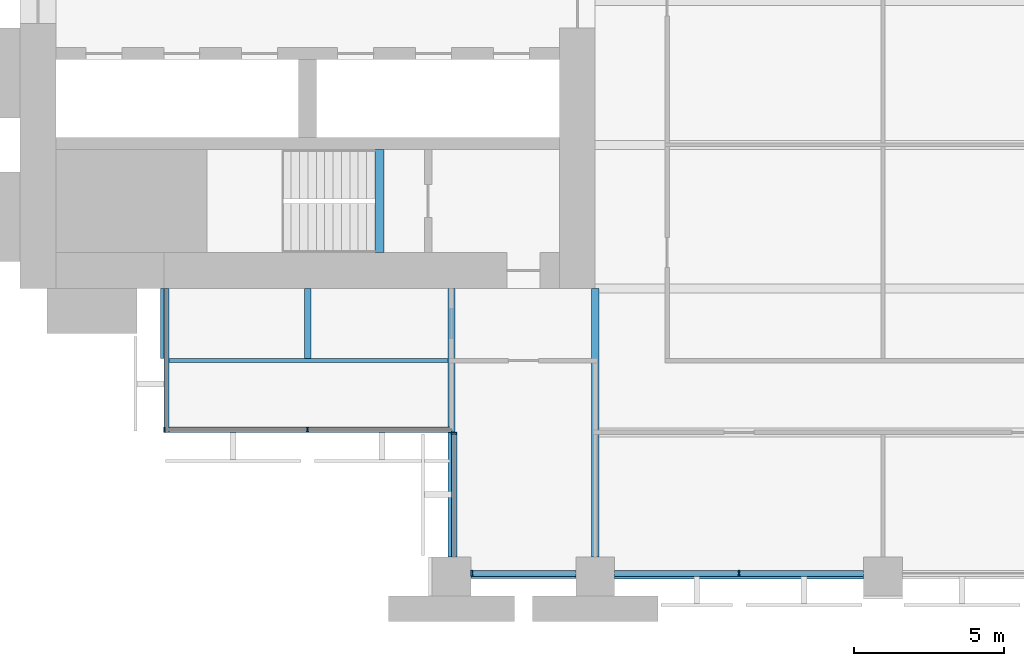
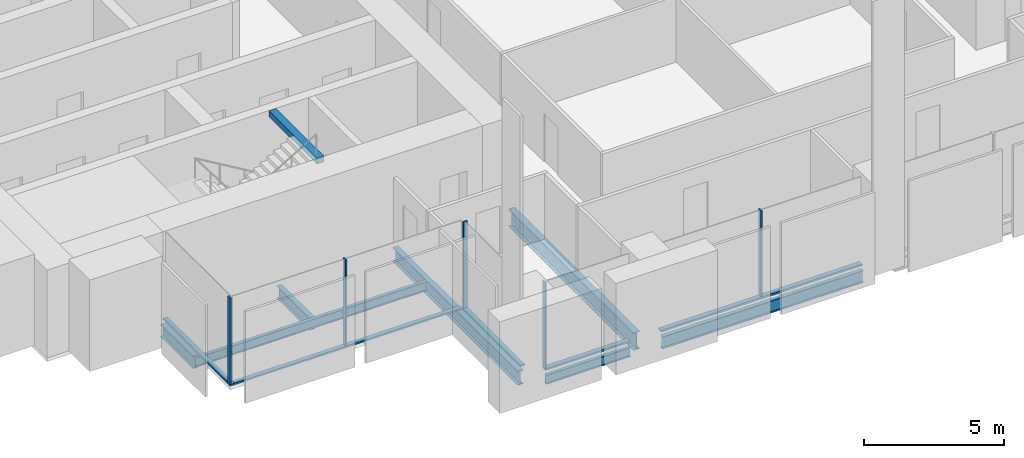
# One storey, part 2 of 14: 10 members, 8 beams, 4 elements without a shape of their own.
"""IFC4 building model written with IfcOpenShell, lengths in metres."""

from ifc_helpers import new_model, si_unit, direction, frame, origin, origin_2d, place, context, subcontext, project, spatial, rectangle, i_section, extrude, material, material_profile, profile_set, type_object, element, aggregate, save


model = new_model("IFC4")

# Units and contexts
model_context = context("Model", 3, precision=1e-05, world=origin(), true_north=direction((0.0, 1.0)))
body_context = subcontext(model_context, "Body", "Model", "MODEL_VIEW")
ifc_project = project(units=[si_unit("LENGTHUNIT", "METRE"), si_unit("AREAUNIT", "SQUARE_METRE"), si_unit("VOLUMEUNIT", "CUBIC_METRE"), si_unit("PLANEANGLEUNIT", "RADIAN"), si_unit("MASSUNIT", "GRAM", prefix="KILO")], contexts=[model_context])

# Site, building, storey
site_placement = place(None, origin())
site = spatial("IfcSite", under=ifc_project, at=site_placement, CompositionType="ELEMENT")
building_placement = place(site_placement, origin())
building = spatial("IfcBuilding", under=site, at=building_placement, Name="Baori Bourse Tower", CompositionType="ELEMENT")
storey_placement = place(building_placement, frame((0.0, 0.0, 39.0)))
storey = spatial("IfcBuildingStorey", under=building, at=storey_placement, Name="L07", CompositionType="ELEMENT", Elevation=39.0)

# Curtain wall, members
ifc_material_1 = material(Name="Pale anodised aluminium", Category="aluminium")
curtain_wall_type_1 = type_object("IfcCurtainWallType", Name="CW1 Curtain wall", PredefinedType="NOTDEFINED", material=ifc_material_1)
curtain_wall_1_placement = place(storey_placement, origin())
curtain_wall_1 = element("IfcCurtainWall", 1, at=curtain_wall_1_placement, inside=storey, type_object=curtain_wall_type_1, Name="Curtain wall CW1 L07 11", PredefinedType="NOTDEFINED")
ifc_material_2 = material(Name="Pale anodised aluminium", Category="aluminium")
ifc_material_profile_1 = material_profile(ifc_material_2, rectangle(XDim=0.199951171875, YDim=0.06005859375, at=origin_2d()), Name="Mullion 60x200")
ifc_profile_set_1 = profile_set([ifc_material_profile_1], Name="Pale anodised aluminium")
member_type_1 = type_object("IfcMemberType", Name="CW1 Curtain wall mullion", PredefinedType="MULLION", material=ifc_profile_set_1)
member_1_placement = place(storey_placement, frame((15.080078125, 0.10009765625, 0.080078125), z_axis=(0.0, 0.0, 1.0), x_axis=(0.0, 1.0, 0.0)))
member_1 = element("IfcMember", 2, at=member_1_placement, type_object=member_type_1, Name="Curtain wall CW1 mullion", PredefinedType="MULLION", context=body_context, shape_type="SweptSolid", body=[
    extrude(rectangle(XDim=0.199951171875, YDim=0.06005859375, at=origin_2d()), origin(), (0.0, 0.0, 1.0), 3.760009765625),
])
member_2_placement = place(storey_placement, frame((24.0, 0.10009765625, 0.080078125), z_axis=(0.0, 0.0, 1.0), x_axis=(0.0, 1.0, 0.0)))
member_2 = element("IfcMember", 3, at=member_2_placement, type_object=member_type_1, Name="Curtain wall CW1 mullion", PredefinedType="MULLION", context=body_context, shape_type="SweptSolid", body=[
    extrude(rectangle(XDim=0.199951171875, YDim=0.06005859375, at=origin_2d()), origin(), (0.0, 0.0, 1.0), 3.760009765625),
])
ifc_material_3 = material(Name="Pale anodised aluminium", Category="aluminium")
ifc_material_profile_2 = material_profile(ifc_material_3, rectangle(XDim=0.199951171875, YDim=0.080078125, at=origin_2d()), Name="Transom 80x200")
ifc_profile_set_2 = profile_set([ifc_material_profile_2], Name="Pale anodised aluminium")
member_type_2 = type_object("IfcMemberType", Name="CW1 Curtain wall transom", PredefinedType="USERDEFINED", material=ifc_profile_set_2)
member_3_placement = place(storey_placement, frame((15.050048828125, 0.10009765625, 0.0400390625), z_axis=(1.0, 0.0, 0.0), x_axis=(0.0, 1.0, 0.0)))
member_3 = element("IfcMember", 4, at=member_3_placement, type_object=member_type_2, Name="Curtain wall CW1 sill rail", ObjectType="TRANSOM", PredefinedType="USERDEFINED", context=body_context, shape_type="SweptSolid", body=[
    extrude(rectangle(XDim=0.199951171875, YDim=0.080078125, at=origin_2d()), origin(), (0.0, 0.0, 1.0), 3.5),
])
member_4_placement = place(storey_placement, frame((19.85009765625, 0.10009765625, 0.0400390625), z_axis=(1.0, 0.0, 0.0), x_axis=(0.0, 1.0, 0.0)))
member_4 = element("IfcMember", 5, at=member_4_placement, type_object=member_type_2, Name="Curtain wall CW1 sill rail", ObjectType="TRANSOM", PredefinedType="USERDEFINED", context=body_context, shape_type="SweptSolid", body=[
    extrude(rectangle(XDim=0.199951171875, YDim=0.080078125, at=origin_2d()), origin(), (0.0, 0.0, 1.0), 8.2998046875),
])
aggregate(curtain_wall_1, [member_3, member_1, member_4, member_2])

ifc_material_4 = material(Name="Pale anodised aluminium", Category="aluminium")
curtain_wall_type_2 = type_object("IfcCurtainWallType", Name="CW2 Curtain wall", PredefinedType="NOTDEFINED", material=ifc_material_4)
curtain_wall_2_placement = place(storey_placement, origin())
curtain_wall_2 = element("IfcCurtainWall", 6, at=curtain_wall_2_placement, inside=storey, type_object=curtain_wall_type_2, Name="Curtain wall CW2 L07 9", PredefinedType="NOTDEFINED")
ifc_material_5 = material(Name="Pale anodised aluminium", Category="aluminium")
ifc_material_profile_3 = material_profile(ifc_material_5, rectangle(XDim=0.179931640625, YDim=0.054931640625, at=origin_2d()), Name="Mullion 55x180")
ifc_profile_set_3 = profile_set([ifc_material_profile_3], Name="Pale anodised aluminium")
member_type_3 = type_object("IfcMemberType", Name="CW2 Curtain wall mullion", PredefinedType="MULLION", material=ifc_profile_set_3)
member_5_placement = place(storey_placement, frame((4.827392578125, 4.889892578125, 0.070068359375), z_axis=(0.0, 0.0, 1.0), x_axis=(0.0, 1.0, 0.0)))
member_5 = element("IfcMember", 7, at=member_5_placement, type_object=member_type_3, Name="Curtain wall CW2 mullion", PredefinedType="MULLION", context=body_context, shape_type="SweptSolid", body=[
    extrude(rectangle(XDim=0.179931640625, YDim=0.054931640625, at=origin_2d()), origin(), (0.0, 0.0, 1.0), 3.77001953125),
])
member_6_placement = place(storey_placement, frame((9.60009765625, 4.889892578125, 0.070068359375), z_axis=(0.0, 0.0, 1.0), x_axis=(0.0, 1.0, 0.0)))
member_6 = element("IfcMember", 8, at=member_6_placement, type_object=member_type_3, Name="Curtain wall CW2 mullion", PredefinedType="MULLION", context=body_context, shape_type="SweptSolid", body=[
    extrude(rectangle(XDim=0.179931640625, YDim=0.054931640625, at=origin_2d()), origin(), (0.0, 0.0, 1.0), 3.77001953125),
])

# Curtain wall, member
curtain_wall_3_placement = place(storey_placement, origin())
curtain_wall_3 = element("IfcCurtainWall", 9, at=curtain_wall_3_placement, inside=storey, type_object=curtain_wall_type_2, Name="Curtain wall CW2 L07 10", PredefinedType="NOTDEFINED")
member_7_placement = place(storey_placement, frame((14.489990234375, 4.7724609375, 0.070068359375), z_axis=(0.0, 0.0, 1.0), x_axis=(1.0, 0.0, 0.0)))
member_7 = element("IfcMember", 10, at=member_7_placement, type_object=member_type_3, Name="Curtain wall CW2 mullion", PredefinedType="MULLION", context=body_context, shape_type="SweptSolid", body=[
    extrude(rectangle(XDim=0.179931640625, YDim=0.054931640625, at=origin_2d()), origin(), (0.0, 0.0, 1.0), 3.77001953125),
])

curtain_wall_4_placement = place(storey_placement, origin())
curtain_wall_4 = element("IfcCurtainWall", 11, at=curtain_wall_4_placement, inside=storey, type_object=curtain_wall_type_2, Name="Curtain wall CW2 L07 8", PredefinedType="NOTDEFINED")
ifc_material_6 = material(Name="Pale anodised aluminium", Category="aluminium")
ifc_material_profile_4 = material_profile(ifc_material_6, rectangle(XDim=0.179931640625, YDim=0.070068359375, at=origin_2d()), Name="Transom 70x180")
ifc_profile_set_4 = profile_set([ifc_material_profile_4], Name="Pale anodised aluminium")
member_type_4 = type_object("IfcMemberType", Name="CW2 Curtain wall transom", PredefinedType="USERDEFINED", material=ifc_profile_set_4)
member_8_placement = place(storey_placement, frame((4.889892578125, 9.60009765625, 0.034912109375), z_axis=(0.0, -1.0, 0.0), x_axis=(1.0, 0.0, 0.0)))
member_8 = element("IfcMember", 12, at=member_8_placement, type_object=member_type_4, Name="Curtain wall CW2 sill rail", ObjectType="TRANSOM", PredefinedType="USERDEFINED", context=body_context, shape_type="SweptSolid", body=[
    extrude(rectangle(XDim=0.179931640625, YDim=0.070068359375, at=origin_2d()), origin(), (0.0, 0.0, 1.0), 4.800048828125),
])
aggregate(curtain_wall_4, [member_8])

# Member
member_9_placement = place(storey_placement, frame((4.800048828125, 4.889892578125, 0.034912109375), z_axis=(1.0, 0.0, 0.0), x_axis=(0.0, 1.0, 0.0)))
member_9 = element("IfcMember", 13, at=member_9_placement, type_object=member_type_4, Name="Curtain wall CW2 sill rail", ObjectType="TRANSOM", PredefinedType="USERDEFINED", context=body_context, shape_type="SweptSolid", body=[
    extrude(rectangle(XDim=0.179931640625, YDim=0.070068359375, at=origin_2d()), origin(), (0.0, 0.0, 1.0), 9.599853515625),
])

aggregate(curtain_wall_2, [member_9, member_5, member_6])

member_10_placement = place(storey_placement, frame((14.489990234375, 4.800048828125, 0.034912109375), z_axis=(0.0, -1.0, 0.0), x_axis=(1.0, 0.0, 0.0)))
member_10 = element("IfcMember", 14, at=member_10_placement, type_object=member_type_4, Name="Curtain wall CW2 sill rail", ObjectType="TRANSOM", PredefinedType="USERDEFINED", context=body_context, shape_type="SweptSolid", body=[
    extrude(rectangle(XDim=0.179931640625, YDim=0.070068359375, at=origin_2d()), origin(), (0.0, 0.0, 1.0), 4.150146484375),
])

aggregate(curtain_wall_3, [member_10, member_7])

# Beams
ifc_material_7 = material(Name="Steel A992 Gr 50", Category="steel")
ifc_material_profile_5 = material_profile(ifc_material_7, i_section(OverallWidth=0.21240234375, OverallDepth=0.54345703125, WebThickness=0.01318359375, FlangeThickness=0.021240234375, at=origin_2d()), Name="W21x83")
ifc_profile_set_5 = profile_set([ifc_material_profile_5], Name="Steel A992 Gr 50")
beam_type_1 = type_object("IfcBeamType", Name="Core bracket W21x83", PredefinedType="BEAM", material=ifc_profile_set_5)
for number, where, z_axis, x_axis, name in (
    (15, (4.800048828125, 7.270263671875, -0.431884765625), (0.0, 1.0, 0.0), (-1.0, 0.0, 0.0), "Core bracket L07"),
    (16, (9.60009765625, 7.270263671875, -0.431884765625), (0.0, 1.0, 0.0), (-1.0, 0.0, 0.0), "Core bracket L07"),
):
    element("IfcBeam", number, at=place(storey_placement, frame(where, z_axis=z_axis, x_axis=x_axis)), inside=storey, type_object=beam_type_1, Name=name, PredefinedType="BEAM", context=body_context, shape_type="SweptSolid", body=[
        extrude(i_section(OverallWidth=0.21240234375, OverallDepth=0.54345703125, WebThickness=0.01318359375, FlangeThickness=0.021240234375, at=origin_2d()), origin(), (0.0, 0.0, 1.0), 2.329833984375),
    ])
ifc_material_8 = material(Name="Steel A992 Gr 50", Category="steel")
ifc_material_profile_6 = material_profile(ifc_material_8, i_section(OverallWidth=0.140380859375, OverallDepth=0.40380859375, WebThickness=0.007080078125, FlangeThickness=0.01123046875, at=origin_2d()), Name="W16x31")
ifc_profile_set_6 = profile_set([ifc_material_profile_6], Name="Steel A992 Gr 50")
beam_type_2 = type_object("IfcBeamType", Name="Edge beam W16x31", PredefinedType="BEAM", material=ifc_profile_set_6)
beam_1_placement = place(storey_placement, frame((15.050048828125, 0.0, -0.36181640625), z_axis=(1.0, 0.0, 0.0), x_axis=(0.0, 1.0, 0.0)))
element("IfcBeam", 17, at=beam_1_placement, inside=storey, type_object=beam_type_2, Name="Edge beam L07", PredefinedType="BEAM", context=body_context, shape_type="SweptSolid", body=[
    extrude(i_section(OverallWidth=0.140380859375, OverallDepth=0.40380859375, WebThickness=0.007080078125, FlangeThickness=0.01123046875, at=origin_2d()), origin(), (0.0, 0.0, 1.0), 3.5),
])
ifc_material_9 = material(Name="Steel A992 Gr 50", Category="steel")
ifc_material_profile_7 = material_profile(ifc_material_9, i_section(OverallWidth=0.1650390625, OverallDepth=0.52587890625, WebThickness=0.0087890625, FlangeThickness=0.011474609375, at=origin_2d()), Name="W21x44")
ifc_profile_set_7 = profile_set([ifc_material_profile_7], Name="Steel A992 Gr 50")
beam_type_3 = type_object("IfcBeamType", Name="Edge beam W21x44", PredefinedType="BEAM", material=ifc_profile_set_7)
beam_2_placement = place(storey_placement, frame((19.85009765625, 0.0, -0.4228515625), z_axis=(1.0, 0.0, 0.0), x_axis=(0.0, 1.0, 0.0)))
element("IfcBeam", 18, at=beam_2_placement, inside=storey, type_object=beam_type_3, Name="Edge beam L07", PredefinedType="BEAM", context=body_context, shape_type="SweptSolid", body=[
    extrude(i_section(OverallWidth=0.1650390625, OverallDepth=0.52587890625, WebThickness=0.0087890625, FlangeThickness=0.011474609375, at=origin_2d()), origin(), (0.0, 0.0, 1.0), 8.2998046875),
])
ifc_material_10 = material(Name="Steel A992 Gr 50", Category="steel")
ifc_material_profile_8 = material_profile(ifc_material_10, i_section(OverallWidth=0.22900390625, OverallDepth=0.612060546875, WebThickness=0.011962890625, FlangeThickness=0.01953125, at=origin_2d()), Name="W24x84")
ifc_profile_set_8 = profile_set([ifc_material_profile_8], Name="Steel A992 Gr 50")
beam_type_4 = type_object("IfcBeamType", Name="Floor beam W24x84", PredefinedType="BEAM", material=ifc_profile_set_8)
beam_3_placement = place(storey_placement, frame((14.39990234375, 0.64990234375, -0.466064453125), z_axis=(0.0, 1.0, 0.0), x_axis=(-1.0, 0.0, 0.0)))
element("IfcBeam", 19, at=beam_3_placement, inside=storey, type_object=beam_type_4, Name="Floor beam L07", PredefinedType="BEAM", context=body_context, shape_type="SweptSolid", body=[
    extrude(i_section(OverallWidth=0.22900390625, OverallDepth=0.612060546875, WebThickness=0.011962890625, FlangeThickness=0.01953125, at=origin_2d()), origin(), (0.0, 0.0, 1.0), 8.9501953125),
])
ifc_material_11 = material(Name="Steel A992 Gr 50", Category="steel")
ifc_material_profile_9 = material_profile(ifc_material_11, i_section(OverallWidth=0.2666015625, OverallDepth=0.7568359375, WebThickness=0.013916015625, FlangeThickness=0.019287109375, at=origin_2d()), Name="W30x108")
ifc_profile_set_9 = profile_set([ifc_material_profile_9], Name="Steel A992 Gr 50")
beam_type_5 = type_object("IfcBeamType", Name="Girder W30x108", PredefinedType="BEAM", material=ifc_profile_set_9)
beam_4_placement = place(storey_placement, frame((19.199951171875, 0.64990234375, -0.53857421875), z_axis=(0.0, 1.0, 0.0), x_axis=(-1.0, 0.0, 0.0)))
element("IfcBeam", 20, at=beam_4_placement, inside=storey, type_object=beam_type_5, Name="Girder L07", PredefinedType="BEAM", context=body_context, shape_type="SweptSolid", body=[
    extrude(i_section(OverallWidth=0.2666015625, OverallDepth=0.7568359375, WebThickness=0.013916015625, FlangeThickness=0.019287109375, at=origin_2d()), origin(), (0.0, 0.0, 1.0), 8.9501953125),
])
ifc_material_12 = material(Name="Concrete f'c 50 MPa", Category="concrete")
ifc_material_profile_10 = material_profile(ifc_material_12, rectangle(XDim=0.300048828125, YDim=0.25, at=origin_2d()), Name="RC 300x250")
ifc_profile_set_10 = profile_set([ifc_material_profile_10], Name="Concrete f'c 50 MPa")
beam_type_6 = type_object("IfcBeamType", Name="Stair nib beam RC 300x250", PredefinedType="BEAM", material=ifc_profile_set_10)
beam_5_placement = place(storey_placement, frame((12.0, 10.800048828125, 3.715087890625), z_axis=(0.0, 1.0, 0.0), x_axis=(-1.0, 0.0, 0.0)))
element("IfcBeam", 21, at=beam_5_placement, inside=storey, type_object=beam_type_6, Name="Stair WA nib beam L08", PredefinedType="BEAM", context=body_context, shape_type="SweptSolid", body=[
    extrude(rectangle(XDim=0.300048828125, YDim=0.25, at=origin_2d()), origin(), (0.0, 0.0, 1.0), 3.449951171875),
])
ifc_material_13 = material(Name="Steel A992 Gr 50", Category="steel")
ifc_material_profile_11 = material_profile(ifc_material_13, i_section(OverallWidth=0.140380859375, OverallDepth=0.40380859375, WebThickness=0.007080078125, FlangeThickness=0.01123046875, at=origin_2d()), Name="W16x31")
ifc_profile_set_11 = profile_set([ifc_material_profile_11], Name="Steel A992 Gr 50")
beam_type_7 = type_object("IfcBeamType", Name="Trimmer beam W16x31", PredefinedType="BEAM", material=ifc_profile_set_11)
beam_6_placement = place(storey_placement, frame((4.800048828125, 7.199951171875, -0.36181640625), z_axis=(1.0, 0.0, 0.0), x_axis=(0.0, 1.0, 0.0)))
element("IfcBeam", 22, at=beam_6_placement, inside=storey, type_object=beam_type_7, Name="Trimmer beam L07", PredefinedType="BEAM", context=body_context, shape_type="SweptSolid", body=[
    extrude(i_section(OverallWidth=0.140380859375, OverallDepth=0.40380859375, WebThickness=0.007080078125, FlangeThickness=0.01123046875, at=origin_2d()), origin(), (0.0, 0.0, 1.0), 9.4853515625),
])

save(model, "model.ifc")
